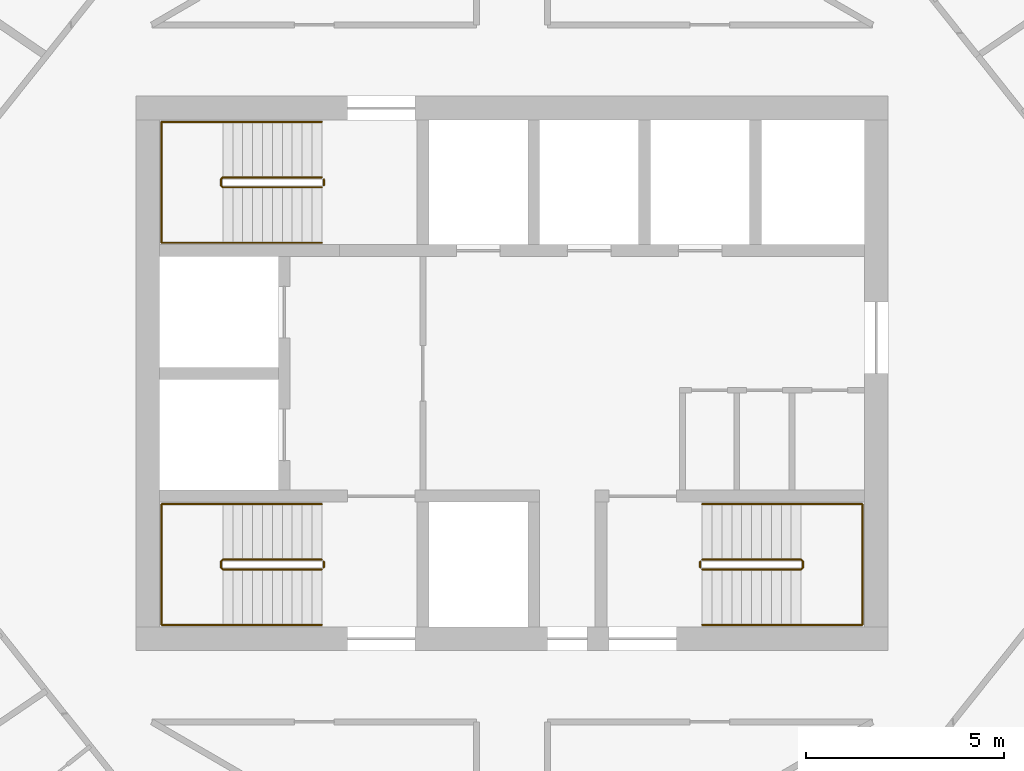
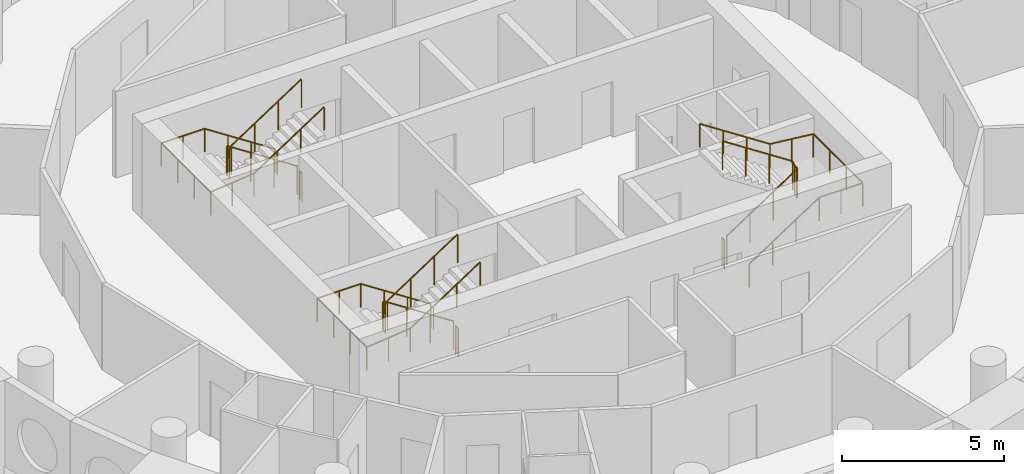
# One storey, part 13 of 13: 9 railings.
"""IFC4 building model written with IfcOpenShell, lengths in metres."""

from ifc_helpers import new_model, si_unit, direction, frame, origin, origin_2d, place, context, subcontext, project, spatial, circle, extrude, material, type_object, element, save


model = new_model("IFC4")

# Units and contexts
model_context = context("Model", 3, precision=1e-05, world=origin(), true_north=direction((0.0, 1.0)))
body_context = subcontext(model_context, "Body", "Model", "MODEL_VIEW")
ifc_project = project(units=[si_unit("LENGTHUNIT", "METRE"), si_unit("AREAUNIT", "SQUARE_METRE"), si_unit("VOLUMEUNIT", "CUBIC_METRE"), si_unit("PLANEANGLEUNIT", "RADIAN"), si_unit("MASSUNIT", "GRAM", prefix="KILO")], contexts=[model_context])

# Site, building, storey
site_placement = place(None, origin())
site = spatial("IfcSite", under=ifc_project, at=site_placement, CompositionType="ELEMENT")
building_placement = place(site_placement, origin())
building = spatial("IfcBuilding", under=site, at=building_placement, Name="Tracery Tower", CompositionType="ELEMENT")
storey_placement = place(building_placement, frame((0.0, 0.0, 252.60009765625)))
storey = spatial("IfcBuildingStorey", under=building, at=storey_placement, Name="L65", CompositionType="ELEMENT", Elevation=252.60009765625)

# Railings
ifc_material_1 = material(Name="Stainless steel and laminated glass", Category="steel")
railing_type_1 = type_object("IfcRailingType", Name="Stair guard 1100", PredefinedType="GUARDRAIL", material=ifc_material_1)
railing_1_placement = place(storey_placement, frame((-4.800048828125, -4.699951171875, 0.16357421875)))
element("IfcRailing", 1, at=railing_1_placement, inside=storey, type_object=railing_type_1, Name="L65 stair ST1 guard 1", PredefinedType="GUARDRAIL", context=body_context, shape_type="SweptSolid", body=[
    extrude(circle(Radius=0.02392578125, at=origin_2d()), frame((0.0, 0.0, 1.076171875), z_axis=(-0.836721939367, 0.0, 0.547627972425), x_axis=(0.0, -1.0, 0.0)), (0.0, 0.0, 1.0), 2.98779296875),
    extrude(circle(Radius=0.02392578125, at=origin_2d()), frame((-2.5, 0.0, 2.71240234375), z_axis=(-0.707106781187, -0.707106781187, 0.0), x_axis=(0.707106781187, -0.707106781187, 0.0)), (0.0, 0.0, 1.0), 0.07080078125),
    extrude(circle(Radius=0.02392578125, at=origin_2d()), frame((-2.550048828125, -0.050048828125, 2.71240234375), z_axis=(0.0, -1.0, 0.0), x_axis=(1.0, 0.0, 0.0)), (0.0, 0.0, 1.0), 0.14990234375),
    extrude(circle(Radius=0.02392578125, at=origin_2d()), frame((-2.550048828125, -0.199951171875, 2.71240234375), z_axis=(0.280456126637, -0.280456126637, 0.917980785237), x_axis=(0.707106781187, 0.707106781187, 0.0)), (0.0, 0.0, 1.0), 0.178466796875),
    extrude(circle(Radius=0.02392578125, at=origin_2d()), frame((-2.5, -0.25, 2.8759765625), z_axis=(0.836721939367, 0.0, 0.547627972425), x_axis=(0.0, 1.0, 0.0)), (0.0, 0.0, 1.0), 2.98779296875),
    extrude(circle(Radius=0.02099609375, at=origin_2d()), origin(), (0.0, 0.0, 1.0), 1.052001953125),
    extrude(circle(Radius=0.02099609375, at=origin_2d()), frame((-0.833251953125, 0.0, 0.54541015625)), (0.0, 0.0, 1.0), 1.052001953125),
    extrude(circle(Radius=0.02099609375, at=origin_2d()), frame((-1.666748046875, 0.0, 1.0908203125)), (0.0, 0.0, 1.0), 1.052001953125),
    extrude(circle(Radius=0.02099609375, at=origin_2d()), frame((-2.5, 0.0, 1.63623046875)), (0.0, 0.0, 1.0), 1.052001953125),
    extrude(circle(Radius=0.02099609375, at=origin_2d()), frame((-2.550048828125, -0.050048828125, 1.63623046875)), (0.0, 0.0, 1.0), 1.052001953125),
    extrude(circle(Radius=0.02099609375, at=origin_2d()), frame((-2.550048828125, -0.199951171875, 1.63623046875)), (0.0, 0.0, 1.0), 1.052001953125),
    extrude(circle(Radius=0.02099609375, at=origin_2d()), frame((-2.5, -0.25, 1.800048828125)), (0.0, 0.0, 1.0), 1.052001953125),
    extrude(circle(Radius=0.02099609375, at=origin_2d()), frame((-1.666748046875, -0.25, 2.345458984375)), (0.0, 0.0, 1.0), 1.052001953125),
    extrude(circle(Radius=0.02099609375, at=origin_2d()), frame((-0.833251953125, -0.25, 2.890869140625)), (0.0, 0.0, 1.0), 1.052001953125),
    extrude(circle(Radius=0.02099609375, at=origin_2d()), frame((0.0, -0.25, 3.436279296875)), (0.0, 0.0, 1.0), 1.052001953125),
])
railing_2_placement = place(storey_placement, frame((-4.75, -4.75, 0.0)))
element("IfcRailing", 2, at=railing_2_placement, inside=storey, type_object=railing_type_1, Name="L65 stair ST1 guard 2", PredefinedType="GUARDRAIL", context=body_context, shape_type="SweptSolid", body=[
    extrude(circle(Radius=0.02392578125, at=origin_2d()), frame((0.0, 0.0, 1.076171875), z_axis=(0.0, -1.0, 0.0), x_axis=(1.0, 0.0, 0.0)), (0.0, 0.0, 1.0), 0.14990234375),
    extrude(circle(Radius=0.02099609375, at=origin_2d()), origin(), (0.0, 0.0, 1.0), 1.052001953125),
    extrude(circle(Radius=0.02099609375, at=origin_2d()), frame((0.0, -0.14990234375, 0.0)), (0.0, 0.0, 1.0), 1.052001953125),
])
railing_3_placement = place(storey_placement, frame((-4.800048828125, 4.949951171875, 0.16357421875)))
element("IfcRailing", 3, at=railing_3_placement, inside=storey, type_object=railing_type_1, Name="L65 stair ST3 guard 1", PredefinedType="GUARDRAIL", context=body_context, shape_type="SweptSolid", body=[
    extrude(circle(Radius=0.02392578125, at=origin_2d()), frame((0.0, 0.0, 1.076171875), z_axis=(-0.836721939367, 0.0, 0.547627972425), x_axis=(0.0, -1.0, 0.0)), (0.0, 0.0, 1.0), 2.98779296875),
    extrude(circle(Radius=0.02392578125, at=origin_2d()), frame((-2.5, 0.0, 2.71240234375), z_axis=(-0.707106781187, -0.707106781187, 0.0), x_axis=(0.707106781187, -0.707106781187, 0.0)), (0.0, 0.0, 1.0), 0.07080078125),
    extrude(circle(Radius=0.02392578125, at=origin_2d()), frame((-2.550048828125, -0.050048828125, 2.71240234375), z_axis=(0.0, -1.0, 0.0), x_axis=(1.0, 0.0, 0.0)), (0.0, 0.0, 1.0), 0.14990234375),
    extrude(circle(Radius=0.02392578125, at=origin_2d()), frame((-2.550048828125, -0.199951171875, 2.71240234375), z_axis=(0.280456126637, -0.280456126637, 0.917980785237), x_axis=(0.707106781187, 0.707106781187, 0.0)), (0.0, 0.0, 1.0), 0.178466796875),
    extrude(circle(Radius=0.02392578125, at=origin_2d()), frame((-2.5, -0.25, 2.8759765625), z_axis=(0.836721939367, 0.0, 0.547627972425), x_axis=(0.0, 1.0, 0.0)), (0.0, 0.0, 1.0), 2.98779296875),
    extrude(circle(Radius=0.02099609375, at=origin_2d()), origin(), (0.0, 0.0, 1.0), 1.052001953125),
    extrude(circle(Radius=0.02099609375, at=origin_2d()), frame((-0.833251953125, 0.0, 0.54541015625)), (0.0, 0.0, 1.0), 1.052001953125),
    extrude(circle(Radius=0.02099609375, at=origin_2d()), frame((-1.666748046875, 0.0, 1.0908203125)), (0.0, 0.0, 1.0), 1.052001953125),
    extrude(circle(Radius=0.02099609375, at=origin_2d()), frame((-2.5, 0.0, 1.63623046875)), (0.0, 0.0, 1.0), 1.052001953125),
    extrude(circle(Radius=0.02099609375, at=origin_2d()), frame((-2.550048828125, -0.050048828125, 1.63623046875)), (0.0, 0.0, 1.0), 1.052001953125),
    extrude(circle(Radius=0.02099609375, at=origin_2d()), frame((-2.550048828125, -0.199951171875, 1.63623046875)), (0.0, 0.0, 1.0), 1.052001953125),
    extrude(circle(Radius=0.02099609375, at=origin_2d()), frame((-2.5, -0.25, 1.800048828125)), (0.0, 0.0, 1.0), 1.052001953125),
    extrude(circle(Radius=0.02099609375, at=origin_2d()), frame((-1.666748046875, -0.25, 2.345458984375)), (0.0, 0.0, 1.0), 1.052001953125),
    extrude(circle(Radius=0.02099609375, at=origin_2d()), frame((-0.833251953125, -0.25, 2.890869140625)), (0.0, 0.0, 1.0), 1.052001953125),
    extrude(circle(Radius=0.02099609375, at=origin_2d()), frame((0.0, -0.25, 3.436279296875)), (0.0, 0.0, 1.0), 1.052001953125),
])
railing_4_placement = place(storey_placement, frame((-4.75, 4.89990234375, 0.0)))
element("IfcRailing", 4, at=railing_4_placement, inside=storey, type_object=railing_type_1, Name="L65 stair ST3 guard 2", PredefinedType="GUARDRAIL", context=body_context, shape_type="SweptSolid", body=[
    extrude(circle(Radius=0.02392578125, at=origin_2d()), frame((0.0, 0.0, 1.076171875), z_axis=(0.0, -1.0, 0.0), x_axis=(1.0, 0.0, 0.0)), (0.0, 0.0, 1.0), 0.14990234375),
    extrude(circle(Radius=0.02099609375, at=origin_2d()), origin(), (0.0, 0.0, 1.0), 1.052001953125),
    extrude(circle(Radius=0.02099609375, at=origin_2d()), frame((0.0, -0.14990234375, 0.0)), (0.0, 0.0, 1.0), 1.052001953125),
])
railing_5_placement = place(storey_placement, frame((4.800048828125, -4.949951171875, 0.16357421875)))
element("IfcRailing", 5, at=railing_5_placement, inside=storey, type_object=railing_type_1, Name="L65 stair ST2 guard 1", PredefinedType="GUARDRAIL", context=body_context, shape_type="SweptSolid", body=[
    extrude(circle(Radius=0.02392578125, at=origin_2d()), frame((0.0, 0.0, 1.076171875), z_axis=(0.836721939367, 0.0, 0.547627972425), x_axis=(0.0, 1.0, 0.0)), (0.0, 0.0, 1.0), 2.98779296875),
    extrude(circle(Radius=0.02392578125, at=origin_2d()), frame((2.5, 0.0, 2.71240234375), z_axis=(0.707106781187, 0.707106781187, 0.0), x_axis=(-0.707106781187, 0.707106781187, 0.0)), (0.0, 0.0, 1.0), 0.07080078125),
    extrude(circle(Radius=0.02392578125, at=origin_2d()), frame((2.550048828125, 0.050048828125, 2.71240234375), z_axis=(0.0, 1.0, 0.0), x_axis=(-1.0, 0.0, 0.0)), (0.0, 0.0, 1.0), 0.14990234375),
    extrude(circle(Radius=0.02392578125, at=origin_2d()), frame((2.550048828125, 0.199951171875, 2.71240234375), z_axis=(-0.280456126637, 0.280456126637, 0.917980785237), x_axis=(-0.707106781187, -0.707106781187, 0.0)), (0.0, 0.0, 1.0), 0.178466796875),
    extrude(circle(Radius=0.02392578125, at=origin_2d()), frame((2.5, 0.25, 2.8759765625), z_axis=(-0.836721939367, 0.0, 0.547627972425), x_axis=(0.0, -1.0, 0.0)), (0.0, 0.0, 1.0), 2.98779296875),
    extrude(circle(Radius=0.02099609375, at=origin_2d()), origin(), (0.0, 0.0, 1.0), 1.052001953125),
    extrude(circle(Radius=0.02099609375, at=origin_2d()), frame((0.833251953125, 0.0, 0.54541015625)), (0.0, 0.0, 1.0), 1.052001953125),
    extrude(circle(Radius=0.02099609375, at=origin_2d()), frame((1.666748046875, 0.0, 1.0908203125)), (0.0, 0.0, 1.0), 1.052001953125),
    extrude(circle(Radius=0.02099609375, at=origin_2d()), frame((2.5, 0.0, 1.63623046875)), (0.0, 0.0, 1.0), 1.052001953125),
    extrude(circle(Radius=0.02099609375, at=origin_2d()), frame((2.550048828125, 0.050048828125, 1.63623046875)), (0.0, 0.0, 1.0), 1.052001953125),
    extrude(circle(Radius=0.02099609375, at=origin_2d()), frame((2.550048828125, 0.199951171875, 1.63623046875)), (0.0, 0.0, 1.0), 1.052001953125),
    extrude(circle(Radius=0.02099609375, at=origin_2d()), frame((2.5, 0.25, 1.800048828125)), (0.0, 0.0, 1.0), 1.052001953125),
    extrude(circle(Radius=0.02099609375, at=origin_2d()), frame((1.666748046875, 0.25, 2.345458984375)), (0.0, 0.0, 1.0), 1.052001953125),
    extrude(circle(Radius=0.02099609375, at=origin_2d()), frame((0.833251953125, 0.25, 2.890869140625)), (0.0, 0.0, 1.0), 1.052001953125),
    extrude(circle(Radius=0.02099609375, at=origin_2d()), frame((0.0, 0.25, 3.436279296875)), (0.0, 0.0, 1.0), 1.052001953125),
])
railing_6_placement = place(storey_placement, frame((4.75, -4.89990234375, 0.0)))
element("IfcRailing", 6, at=railing_6_placement, inside=storey, type_object=railing_type_1, Name="L65 stair ST2 guard 2", PredefinedType="GUARDRAIL", context=body_context, shape_type="SweptSolid", body=[
    extrude(circle(Radius=0.02392578125, at=origin_2d()), frame((0.0, 0.0, 1.076171875), z_axis=(0.0, 1.0, 0.0), x_axis=(-1.0, 0.0, 0.0)), (0.0, 0.0, 1.0), 0.14990234375),
    extrude(circle(Radius=0.02099609375, at=origin_2d()), origin(), (0.0, 0.0, 1.0), 1.052001953125),
    extrude(circle(Radius=0.02099609375, at=origin_2d()), frame((0.0, 0.14990234375, 0.0)), (0.0, 0.0, 1.0), 1.052001953125),
])
ifc_material_2 = material(Name="Stainless steel and laminated glass", Category="steel")
railing_type_2 = type_object("IfcRailingType", Name="Stair handrail 900", PredefinedType="HANDRAIL", material=ifc_material_2)
railing_7_placement = place(storey_placement, frame((-4.800048828125, -3.300048828125, 0.16357421875)))
element("IfcRailing", 7, at=railing_7_placement, inside=storey, type_object=railing_type_2, Name="L65 stair ST1 handrail 1", PredefinedType="HANDRAIL", context=body_context, shape_type="SweptSolid", body=[
    extrude(circle(Radius=0.02392578125, at=origin_2d()), frame((0.0, 0.0, 0.8759765625), z_axis=(-0.836721939367, 0.0, 0.547627972425), x_axis=(0.0, -1.0, 0.0)), (0.0, 0.0, 1.0), 2.98779296875),
    extrude(circle(Radius=0.02392578125, at=origin_2d()), frame((-2.5, 0.0, 2.51220703125), z_axis=(-1.0, 0.0, 0.0), x_axis=(0.0, -1.0, 0.0)), (0.0, 0.0, 1.0), 1.550048828125),
    extrude(circle(Radius=0.02392578125, at=origin_2d()), frame((-4.050048828125, 0.0, 2.51220703125), z_axis=(0.0, -1.0, 0.0), x_axis=(1.0, 0.0, 0.0)), (0.0, 0.0, 1.0), 3.050048828125),
    extrude(circle(Radius=0.02392578125, at=origin_2d()), frame((-4.050048828125, -3.050048828125, 2.51220703125), z_axis=(0.994461594632, 0.0, 0.105100603244), x_axis=(0.0, 1.0, 0.0)), (0.0, 0.0, 1.0), 1.55859375),
    extrude(circle(Radius=0.02392578125, at=origin_2d()), frame((-2.5, -3.050048828125, 2.67578125), z_axis=(0.836721939367, 0.0, 0.547627972425), x_axis=(0.0, 1.0, 0.0)), (0.0, 0.0, 1.0), 2.98779296875),
    extrude(circle(Radius=0.02099609375, at=origin_2d()), origin(), (0.0, 0.0, 1.0), 0.851806640625),
    extrude(circle(Radius=0.02099609375, at=origin_2d()), frame((-0.833251953125, 0.0, 0.54541015625)), (0.0, 0.0, 1.0), 0.851806640625),
    extrude(circle(Radius=0.02099609375, at=origin_2d()), frame((-1.666748046875, 0.0, 1.0908203125)), (0.0, 0.0, 1.0), 0.851806640625),
    extrude(circle(Radius=0.02099609375, at=origin_2d()), frame((-2.5, 0.0, 1.63623046875)), (0.0, 0.0, 1.0), 0.851806640625),
    extrude(circle(Radius=0.02099609375, at=origin_2d()), frame((-3.27490234375, 0.0, 1.63623046875)), (0.0, 0.0, 1.0), 0.851806640625),
    extrude(circle(Radius=0.02099609375, at=origin_2d()), frame((-4.050048828125, 0.0, 1.63623046875)), (0.0, 0.0, 1.0), 0.851806640625),
    extrude(circle(Radius=0.02099609375, at=origin_2d()), frame((-4.050048828125, -1.0166015625, 1.63623046875)), (0.0, 0.0, 1.0), 0.851806640625),
    extrude(circle(Radius=0.02099609375, at=origin_2d()), frame((-4.050048828125, -2.033447265625, 1.63623046875)), (0.0, 0.0, 1.0), 0.851806640625),
    extrude(circle(Radius=0.02099609375, at=origin_2d()), frame((-4.050048828125, -3.050048828125, 1.63623046875)), (0.0, 0.0, 1.0), 0.851806640625),
    extrude(circle(Radius=0.02099609375, at=origin_2d()), frame((-3.27490234375, -3.050048828125, 1.71826171875)), (0.0, 0.0, 1.0), 0.851806640625),
    extrude(circle(Radius=0.02099609375, at=origin_2d()), frame((-2.5, -3.050048828125, 1.800048828125)), (0.0, 0.0, 1.0), 0.851806640625),
    extrude(circle(Radius=0.02099609375, at=origin_2d()), frame((-1.666748046875, -3.050048828125, 2.345458984375)), (0.0, 0.0, 1.0), 0.851806640625),
    extrude(circle(Radius=0.02099609375, at=origin_2d()), frame((-0.833251953125, -3.050048828125, 2.890869140625)), (0.0, 0.0, 1.0), 0.851806640625),
    extrude(circle(Radius=0.02099609375, at=origin_2d()), frame((0.0, -3.050048828125, 3.436279296875)), (0.0, 0.0, 1.0), 0.851806640625),
])
railing_8_placement = place(storey_placement, frame((-4.800048828125, 6.35009765625, 0.16357421875)))
element("IfcRailing", 8, at=railing_8_placement, inside=storey, type_object=railing_type_2, Name="L65 stair ST3 handrail 1", PredefinedType="HANDRAIL", context=body_context, shape_type="SweptSolid", body=[
    extrude(circle(Radius=0.02392578125, at=origin_2d()), frame((0.0, 0.0, 0.8759765625), z_axis=(-0.836721939367, 0.0, 0.547627972425), x_axis=(0.0, -1.0, 0.0)), (0.0, 0.0, 1.0), 2.98779296875),
    extrude(circle(Radius=0.02392578125, at=origin_2d()), frame((-2.5, 0.0, 2.51220703125), z_axis=(-1.0, 0.0, 0.0), x_axis=(0.0, -1.0, 0.0)), (0.0, 0.0, 1.0), 1.550048828125),
    extrude(circle(Radius=0.02392578125, at=origin_2d()), frame((-4.050048828125, 0.0, 2.51220703125), z_axis=(0.0, -1.0, 0.0), x_axis=(1.0, 0.0, 0.0)), (0.0, 0.0, 1.0), 3.050048828125),
    extrude(circle(Radius=0.02392578125, at=origin_2d()), frame((-4.050048828125, -3.050048828125, 2.51220703125), z_axis=(0.994461594632, 0.0, 0.105100603244), x_axis=(0.0, 1.0, 0.0)), (0.0, 0.0, 1.0), 1.55859375),
    extrude(circle(Radius=0.02392578125, at=origin_2d()), frame((-2.5, -3.050048828125, 2.67578125), z_axis=(0.836721939367, 0.0, 0.547627972425), x_axis=(0.0, 1.0, 0.0)), (0.0, 0.0, 1.0), 2.98779296875),
    extrude(circle(Radius=0.02099609375, at=origin_2d()), origin(), (0.0, 0.0, 1.0), 0.851806640625),
    extrude(circle(Radius=0.02099609375, at=origin_2d()), frame((-0.833251953125, 0.0, 0.54541015625)), (0.0, 0.0, 1.0), 0.851806640625),
    extrude(circle(Radius=0.02099609375, at=origin_2d()), frame((-1.666748046875, 0.0, 1.0908203125)), (0.0, 0.0, 1.0), 0.851806640625),
    extrude(circle(Radius=0.02099609375, at=origin_2d()), frame((-2.5, 0.0, 1.63623046875)), (0.0, 0.0, 1.0), 0.851806640625),
    extrude(circle(Radius=0.02099609375, at=origin_2d()), frame((-3.27490234375, 0.0, 1.63623046875)), (0.0, 0.0, 1.0), 0.851806640625),
    extrude(circle(Radius=0.02099609375, at=origin_2d()), frame((-4.050048828125, 0.0, 1.63623046875)), (0.0, 0.0, 1.0), 0.851806640625),
    extrude(circle(Radius=0.02099609375, at=origin_2d()), frame((-4.050048828125, -1.0166015625, 1.63623046875)), (0.0, 0.0, 1.0), 0.851806640625),
    extrude(circle(Radius=0.02099609375, at=origin_2d()), frame((-4.050048828125, -2.033447265625, 1.63623046875)), (0.0, 0.0, 1.0), 0.851806640625),
    extrude(circle(Radius=0.02099609375, at=origin_2d()), frame((-4.050048828125, -3.050048828125, 1.63623046875)), (0.0, 0.0, 1.0), 0.851806640625),
    extrude(circle(Radius=0.02099609375, at=origin_2d()), frame((-3.27490234375, -3.050048828125, 1.71826171875)), (0.0, 0.0, 1.0), 0.851806640625),
    extrude(circle(Radius=0.02099609375, at=origin_2d()), frame((-2.5, -3.050048828125, 1.800048828125)), (0.0, 0.0, 1.0), 0.851806640625),
    extrude(circle(Radius=0.02099609375, at=origin_2d()), frame((-1.666748046875, -3.050048828125, 2.345458984375)), (0.0, 0.0, 1.0), 0.851806640625),
    extrude(circle(Radius=0.02099609375, at=origin_2d()), frame((-0.833251953125, -3.050048828125, 2.890869140625)), (0.0, 0.0, 1.0), 0.851806640625),
    extrude(circle(Radius=0.02099609375, at=origin_2d()), frame((0.0, -3.050048828125, 3.436279296875)), (0.0, 0.0, 1.0), 0.851806640625),
])
railing_9_placement = place(storey_placement, frame((4.800048828125, -6.35009765625, 0.16357421875)))
element("IfcRailing", 9, at=railing_9_placement, inside=storey, type_object=railing_type_2, Name="L65 stair ST2 handrail 1", PredefinedType="HANDRAIL", context=body_context, shape_type="SweptSolid", body=[
    extrude(circle(Radius=0.02392578125, at=origin_2d()), frame((0.0, 0.0, 0.8759765625), z_axis=(0.836721939367, 0.0, 0.547627972425), x_axis=(0.0, 1.0, 0.0)), (0.0, 0.0, 1.0), 2.98779296875),
    extrude(circle(Radius=0.02392578125, at=origin_2d()), frame((2.5, 0.0, 2.51220703125), z_axis=(1.0, 0.0, 0.0), x_axis=(0.0, 1.0, 0.0)), (0.0, 0.0, 1.0), 1.550048828125),
    extrude(circle(Radius=0.02392578125, at=origin_2d()), frame((4.050048828125, 0.0, 2.51220703125), z_axis=(0.0, 1.0, 0.0), x_axis=(-1.0, 0.0, 0.0)), (0.0, 0.0, 1.0), 3.050048828125),
    extrude(circle(Radius=0.02392578125, at=origin_2d()), frame((4.050048828125, 3.050048828125, 2.51220703125), z_axis=(-0.994461594632, 0.0, 0.105100603244), x_axis=(0.0, -1.0, 0.0)), (0.0, 0.0, 1.0), 1.55859375),
    extrude(circle(Radius=0.02392578125, at=origin_2d()), frame((2.5, 3.050048828125, 2.67578125), z_axis=(-0.836721939367, 0.0, 0.547627972425), x_axis=(0.0, -1.0, 0.0)), (0.0, 0.0, 1.0), 2.98779296875),
    extrude(circle(Radius=0.02099609375, at=origin_2d()), origin(), (0.0, 0.0, 1.0), 0.851806640625),
    extrude(circle(Radius=0.02099609375, at=origin_2d()), frame((0.833251953125, 0.0, 0.54541015625)), (0.0, 0.0, 1.0), 0.851806640625),
    extrude(circle(Radius=0.02099609375, at=origin_2d()), frame((1.666748046875, 0.0, 1.0908203125)), (0.0, 0.0, 1.0), 0.851806640625),
    extrude(circle(Radius=0.02099609375, at=origin_2d()), frame((2.5, 0.0, 1.63623046875)), (0.0, 0.0, 1.0), 0.851806640625),
    extrude(circle(Radius=0.02099609375, at=origin_2d()), frame((3.27490234375, 0.0, 1.63623046875)), (0.0, 0.0, 1.0), 0.851806640625),
    extrude(circle(Radius=0.02099609375, at=origin_2d()), frame((4.050048828125, 0.0, 1.63623046875)), (0.0, 0.0, 1.0), 0.851806640625),
    extrude(circle(Radius=0.02099609375, at=origin_2d()), frame((4.050048828125, 1.0166015625, 1.63623046875)), (0.0, 0.0, 1.0), 0.851806640625),
    extrude(circle(Radius=0.02099609375, at=origin_2d()), frame((4.050048828125, 2.033447265625, 1.63623046875)), (0.0, 0.0, 1.0), 0.851806640625),
    extrude(circle(Radius=0.02099609375, at=origin_2d()), frame((4.050048828125, 3.050048828125, 1.63623046875)), (0.0, 0.0, 1.0), 0.851806640625),
    extrude(circle(Radius=0.02099609375, at=origin_2d()), frame((3.27490234375, 3.050048828125, 1.71826171875)), (0.0, 0.0, 1.0), 0.851806640625),
    extrude(circle(Radius=0.02099609375, at=origin_2d()), frame((2.5, 3.050048828125, 1.800048828125)), (0.0, 0.0, 1.0), 0.851806640625),
    extrude(circle(Radius=0.02099609375, at=origin_2d()), frame((1.666748046875, 3.050048828125, 2.345458984375)), (0.0, 0.0, 1.0), 0.851806640625),
    extrude(circle(Radius=0.02099609375, at=origin_2d()), frame((0.833251953125, 3.050048828125, 2.890869140625)), (0.0, 0.0, 1.0), 0.851806640625),
    extrude(circle(Radius=0.02099609375, at=origin_2d()), frame((0.0, 3.050048828125, 3.436279296875)), (0.0, 0.0, 1.0), 0.851806640625),
])

save(model, "model.ifc")
